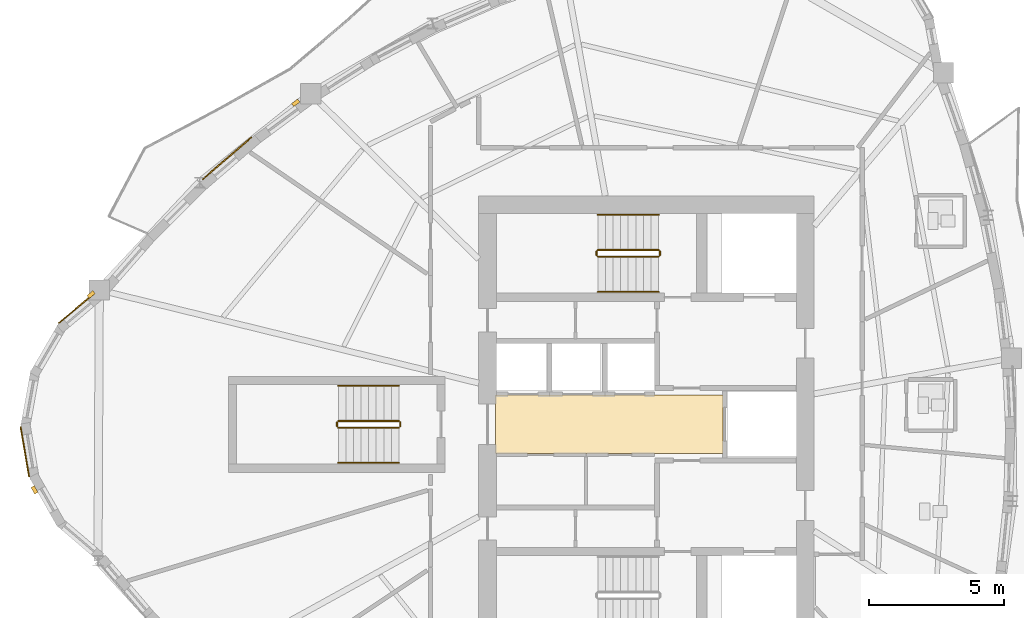
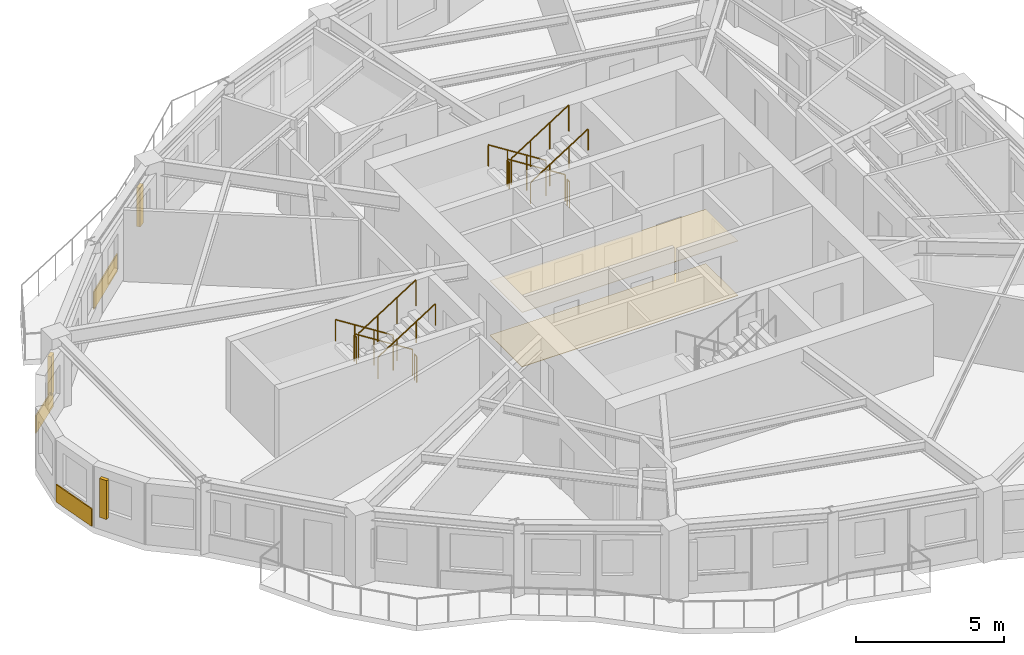
# One storey, part 10 of 12: 12 railings, 5 coverings, 3 shading devices.
"""IFC4 building model written with IfcOpenShell, lengths in metres."""

import ifcopenshell
import ifcopenshell.guid

model = None  # the IFC model being written
_history = None  # IfcOwnerHistory: only IFC2X3 demands one
_inside = {}  # id of a spatial element -> (the spatial element, [elements in it])
_under = {}  # id of a project, library or spatial element -> (it, [spatial elements below it])
_declared = {}  # id of a project -> (the project, [libraries it declares])
_typed = {}  # id of a type object -> (the type object, [elements of that type])
_made_of = {}  # id of a material, layer set ... -> (it, [elements and type objects made of it])


def new_model(schema):
    """Start an empty IFC model of exactly this schema.

    Asked for "IFC4X3", IfcOpenShell would pick the latest addendum, in which some entities
    have other attributes; the version numbers below select the first issue.
    IFC2X3 requires an IfcOwnerHistory on every rooted entity: one is made here for all.
    """
    global model, _history
    if schema == "IFC4X3":
        model = ifcopenshell.file(schema_version=(4, 3, 0, 0))
    else:
        model = ifcopenshell.file(schema=schema)
    _inside.clear()
    _under.clear()
    _declared.clear()
    _typed.clear()
    _made_of.clear()
    _history = None
    if model.schema == "IFC2X3":
        org = make("IfcOrganization", Name="unknown")
        user = make(
            "IfcPersonAndOrganization",
            ThePerson=make("IfcPerson", FamilyName="unknown"),
            TheOrganization=org,
        )
        app = make(
            "IfcApplication",
            ApplicationDeveloper=org,
            Version="unknown",
            ApplicationFullName="unknown",
            ApplicationIdentifier="unknown",
        )
        _history = make(
            "IfcOwnerHistory",
            OwningUser=user,
            OwningApplication=app,
            ChangeAction="ADDED",
            CreationDate=0,
        )
    return model


def make(cls, **values):
    """One entity of the class cls with the attributes given. An attribute that is None is left unset."""
    return model.create_entity(
        cls, **{name: value for name, value in values.items() if value is not None}
    )


def rooted(cls, **values):
    """An entity with a GlobalId (a new one), such as an element, a storey or a relation."""
    return make(cls, GlobalId=ifcopenshell.guid.new(), OwnerHistory=_history, **values)


def si_unit(unit_type, name, prefix=None):
    """IfcSIUnit, for example si_unit("LENGTHUNIT", "METRE", prefix="MILLI")."""
    return make("IfcSIUnit", UnitType=unit_type, Prefix=prefix, Name=name)


def assignment(units):
    """IfcUnitAssignment: the units of a project."""
    return None if units is None else make("IfcUnitAssignment", Units=units)


def point(xyz):
    """IfcCartesianPoint."""
    return None if xyz is None else make("IfcCartesianPoint", Coordinates=xyz)


def direction(xyz):
    """IfcDirection."""
    return None if xyz is None else make("IfcDirection", DirectionRatios=xyz)


def frame(location, z_axis=None, x_axis=None):
    """IfcAxis2Placement3D, a coordinate frame: its origin and axes. An axis left out is left unset."""
    return make(
        "IfcAxis2Placement3D",
        Location=point(location),
        Axis=direction(z_axis),
        RefDirection=direction(x_axis),
    )


def frame_2d(location, x_axis=None):
    """IfcAxis2Placement2D, a coordinate frame in the plane: its origin and x axis."""
    return make(
        "IfcAxis2Placement2D", Location=point(location), RefDirection=direction(x_axis)
    )


def origin():
    """The frame at (0, 0, 0) with its axes left unset."""
    return frame((0.0, 0.0, 0.0))


def origin_2d():
    """The frame at (0, 0) in the plane with its x axis left unset."""
    return frame_2d((0.0, 0.0))


def place(relative_to, where):
    """IfcLocalPlacement: puts the frame where relative to a parent placement (None: the world)."""
    return make(
        "IfcLocalPlacement", PlacementRelTo=relative_to, RelativePlacement=where
    )


def context(
    kind, dimensions, precision=None, world=None, true_north=None, identifier=None
):
    """IfcGeometricRepresentationContext, for example the 3D "Model" context."""
    return make(
        "IfcGeometricRepresentationContext",
        ContextIdentifier=identifier,
        ContextType=kind,
        CoordinateSpaceDimension=dimensions,
        Precision=precision,
        WorldCoordinateSystem=world,
        TrueNorth=true_north,
    )


def subcontext(parent, identifier, kind, view, scale=None):
    """IfcGeometricRepresentationSubContext, for example "Body" below "Model"."""
    return make(
        "IfcGeometricRepresentationSubContext",
        ContextIdentifier=identifier,
        ContextType=kind,
        ParentContext=parent,
        TargetScale=scale,
        TargetView=view,
    )


def project(units=None, contexts=None):
    """IfcProject with its units and contexts."""
    return rooted(
        "IfcProject",
        Name="project",
        RepresentationContexts=contexts,
        UnitsInContext=assignment(units),
    )


def spatial(cls, under=None, at=None, **own):
    """A site, building, storey or space (cls), placed at a placement, below another one or the project."""
    s = rooted(cls, ObjectPlacement=at, **own)
    if under is not None:
        _under.setdefault(under.id(), (under, []))[1].append(s)
    return s


def polyline(points):
    """IfcPolyline through the points."""
    return make("IfcPolyline", Points=[point(p) for p in points])


def profile(cls, at=None, kind="AREA", **sizes):
    """A parametric profile (cls). Its sizes go by their IFC names, for example OverallWidth=200.0."""
    return make(cls, ProfileType=kind, Position=at, **sizes)


def rectangle(**sizes):
    """IfcRectangleProfileDef."""
    return profile("IfcRectangleProfileDef", **sizes)


def circle(**sizes):
    """IfcCircleProfileDef."""
    return profile("IfcCircleProfileDef", **sizes)


def outline(outer, holes=None, kind="AREA"):
    """IfcArbitraryClosedProfileDef: a profile drawn as a closed curve; with holes, ...WithVoids."""
    if holes is None:
        return make("IfcArbitraryClosedProfileDef", ProfileType=kind, OuterCurve=outer)
    return make(
        "IfcArbitraryProfileDefWithVoids",
        ProfileType=kind,
        OuterCurve=outer,
        InnerCurves=holes,
    )


def extrude(swept, where, along, depth):
    """IfcExtrudedAreaSolid: the profile swept, set in the frame where, extruded along a direction by depth."""
    return make(
        "IfcExtrudedAreaSolid",
        SweptArea=swept,
        Position=where,
        ExtrudedDirection=direction(along),
        Depth=depth,
    )


def shape(context_of_items, identifier, shape_type, items):
    """IfcShapeRepresentation: the items that make up one representation, for example the "Body"."""
    return make(
        "IfcShapeRepresentation",
        ContextOfItems=context_of_items,
        RepresentationIdentifier=identifier,
        RepresentationType=shape_type,
        Items=items,
    )


def source(mapping_origin, context_of_items, identifier, shape_type, items):
    """IfcRepresentationMap: a shape defined once, which mapped items show again and again."""
    return make(
        "IfcRepresentationMap",
        MappingOrigin=mapping_origin,
        MappedRepresentation=shape(context_of_items, identifier, shape_type, items),
    )


def transform(
    local_origin,
    x_axis=None,
    y_axis=None,
    z_axis=None,
    scale=None,
    scale2=None,
    scale3=None,
    uniform=True,
):
    """IfcCartesianTransformationOperator3D, or its non-uniform kind. x_axis, y_axis, z_axis: its Axis1, 2, 3."""
    if uniform:
        return make(
            "IfcCartesianTransformationOperator3D",
            Axis1=direction(x_axis),
            Axis2=direction(y_axis),
            LocalOrigin=point(local_origin),
            Scale=scale,
            Axis3=direction(z_axis),
        )
    return make(
        "IfcCartesianTransformationOperator3DnonUniform",
        Axis1=direction(x_axis),
        Axis2=direction(y_axis),
        LocalOrigin=point(local_origin),
        Scale=scale,
        Axis3=direction(z_axis),
        Scale2=scale2,
        Scale3=scale3,
    )


def mapped(mapping_source, mapping_target):
    """IfcMappedItem: shows the shape of a source again, moved by a transform."""
    return make(
        "IfcMappedItem", MappingSource=mapping_source, MappingTarget=mapping_target
    )


def material(Name=None, Category=None):
    """IfcMaterial."""
    return make("IfcMaterial", Name=Name, Category=Category)


def layer(
    of_material, thickness, ventilated=None, Name=None, Category=None, Priority=None
):
    """IfcMaterialLayer: one layer of a wall or slab, of a material (None: an air gap)."""
    return make(
        "IfcMaterialLayer",
        Material=of_material,
        LayerThickness=thickness,
        IsVentilated=ventilated,
        Name=Name,
        Category=Category,
        Priority=Priority,
    )


def layer_set(layers, Name=None):
    """IfcMaterialLayerSet."""
    return make("IfcMaterialLayerSet", MaterialLayers=layers, LayerSetName=Name)


def made_of(thing, what):
    """Note that an element or type object is made of a material, layer set ...; save() writes the relation."""
    if what is not None:
        _made_of.setdefault(what.id(), (what, []))[1].append(thing)
    return thing


def type_object(cls, material=None, **own):
    """A type object (cls), such as IfcWallType, which elements share."""
    return made_of(rooted(cls, **own), material)


def element(
    cls,
    number,
    at=None,
    inside=None,
    cuts=None,
    type_object=None,
    material=None,
    context=None,
    identifier="Body",
    shape_type=None,
    held_by="IfcProductDefinitionShape",
    body=None,
    shapes=None,
    **own,
):
    """One element of the class cls, such as IfcWall. Its Tag is "e" and its number.

    at: its placement. inside: the storey or other place that contains it. cuts: it is an
    opening in that element (IfcRelVoidsElement). A single representation is given by context,
    identifier, shape_type and body (its items); several are given by shapes. held_by: the class
    of the entity that holds the representations. save() writes the other relations.
    """
    e = rooted(cls, Tag="e%d" % number, ObjectPlacement=at, **own)
    if body is not None:
        shapes = [shape(context, identifier, shape_type, body)]
    if shapes is not None:
        e.Representation = make(held_by, Representations=shapes)
    if inside is not None:
        _inside.setdefault(inside.id(), (inside, []))[1].append(e)
    if cuts is not None:
        rooted(
            "IfcRelVoidsElement", RelatingBuildingElement=cuts, RelatedOpeningElement=e
        )
    if type_object is not None:
        _typed.setdefault(type_object.id(), (type_object, []))[1].append(e)
    return made_of(e, material)


def aggregate(whole, parts):
    """IfcRelAggregates: a whole, such as a stair, and the parts it consists of."""
    return rooted("IfcRelAggregates", RelatingObject=whole, RelatedObjects=parts)


def save(model, path):
    """Write the relations noted so far, then the file.

    IfcRelAggregates (storeys below a building ...), IfcRelContainedInSpatialStructure (elements
    in a storey), IfcRelDefinesByType, IfcRelAssociatesMaterial and IfcRelDeclares: one each for
    every whole, place, type object, material and project.
    """
    for whole, parts in _under.values():
        aggregate(whole, parts)
    for where, things in _inside.values():
        rooted(
            "IfcRelContainedInSpatialStructure",
            RelatedElements=things,
            RelatingStructure=where,
        )
    for kind, things in _typed.values():
        rooted("IfcRelDefinesByType", RelatedObjects=things, RelatingType=kind)
    for what, things in _made_of.values():
        rooted("IfcRelAssociatesMaterial", RelatedObjects=things, RelatingMaterial=what)
    for by, libraries in _declared.values():
        rooted("IfcRelDeclares", RelatingContext=by, RelatedDefinitions=libraries)
    model.write(path)


model = new_model("IFC4")

# Units and contexts
model_context = context("Model", 3, precision=1e-05, world=origin(), true_north=direction((0.0, 1.0)))
body_context = subcontext(model_context, "Body", "Model", "MODEL_VIEW")
ifc_project = project(units=[si_unit("LENGTHUNIT", "METRE"), si_unit("AREAUNIT", "SQUARE_METRE"), si_unit("VOLUMEUNIT", "CUBIC_METRE"), si_unit("PLANEANGLEUNIT", "RADIAN"), si_unit("MASSUNIT", "GRAM", prefix="KILO")], contexts=[model_context])

# Site, building, storey
site_placement = place(None, origin())
site = spatial("IfcSite", under=ifc_project, at=site_placement, CompositionType="ELEMENT")
building_placement = place(site_placement, origin())
building = spatial("IfcBuilding", under=site, at=building_placement, Name="Qafzar Sky-Pleat Residences", CompositionType="ELEMENT")
storey_placement = place(building_placement, frame((0.0, 0.0, 145.800048828125)))
storey = spatial("IfcBuildingStorey", under=building, at=storey_placement, Name="L43", CompositionType="ELEMENT", Elevation=145.800048828125)

# Coverings
ifc_material_1 = material(Name="Perforated acoustic gypsum board ceiling")
ifc_layer_1 = layer(ifc_material_1, 0.02001953125)
ifc_layer_set_1 = layer_set([ifc_layer_1], Name="Perforated acoustic gypsum board ceiling")
covering_type_1 = type_object("IfcCoveringType", Name="COV-CEIL-ACOUSTIC", PredefinedType="CEILING", material=ifc_layer_set_1)
covering_1_placement = place(storey_placement, frame((0.0, 0.0, 2.239990234375)))
element("IfcCovering", 1, at=covering_1_placement, inside=storey, type_object=covering_type_1, Name="L43 Passenger Lift Lobby Acoustic Ceiling", PredefinedType="CEILING", context=body_context, shape_type="SweptSolid", body=[
    extrude(outline(polyline([(33.179931640625, 24.919921875), (24.77001953125, 24.919921875), (24.77001953125, 27.080078125), (33.179931640625, 27.080078125), (33.179931640625, 24.919921875)])), origin(), (0.0, 0.0, 1.0), 0.02001953125),
])
ifc_material_2 = material(Name="Honed porcelain and Riyadh stone tile flooring", Category="masonry")
ifc_layer_2 = layer(ifc_material_2, 0.02001953125)
ifc_layer_set_2 = layer_set([ifc_layer_2], Name="Honed porcelain and Riyadh stone tile flooring")
covering_type_2 = type_object("IfcCoveringType", Name="COV-FLR-PORCELAIN", PredefinedType="FLOORING", material=ifc_layer_set_2)
covering_2_placement = place(storey_placement, origin())
element("IfcCovering", 2, at=covering_2_placement, inside=storey, type_object=covering_type_2, Name="L43 Passenger Lift Lobby Honed Stone Flooring", PredefinedType="FLOORING", context=body_context, shape_type="SweptSolid", body=[
    extrude(outline(polyline([(33.179931640625, 24.919921875), (24.77001953125, 24.919921875), (24.77001953125, 27.080078125), (33.179931640625, 27.080078125), (33.179931640625, 24.919921875)])), origin(), (0.0, 0.0, 1.0), 0.02001953125),
])

# Shading devices
ifc_material_3 = material(Name="Honed Riyadh limestone solar fin", Category="masonry")
ifc_layer_3 = layer(ifc_material_3, 0.139892578125)
ifc_layer_set_3 = layer_set([ifc_layer_3], Name="Honed Riyadh limestone solar fin")
shading_device_type = type_object("IfcShadingDeviceType", Name="SHD-FIN-STONE", PredefinedType="SHUTTER", material=ifc_layer_set_3)
shared_shape_1 = source(origin(), body_context, "Body", "SweptSolid", [
    extrude(rectangle(XDim=0.139892578125, YDim=0.280029296875, at=origin_2d()), origin(), (0.0, 0.0, 1.0), 1.60009765625),
])
for number, where, z_axis, x_axis, name in (
    (3, (9.8173828125, 30.799560546875, 0.599853515625), (0.0, 0.0, 1.0), (-0.642178681306, 0.766554982552, 0.0), "L43 Limestone Solar Fin 1"),
    (4, (7.720458984375, 23.57470703125, 0.599853515625), (0.0, 0.0, 1.0), (-0.86961473554, -0.493730910245, 0.0), "L43 Limestone Solar Fin 5"),
    (5, (17.3837890625, 37.890380859375, 0.599853515625), (0.0, 0.0, 1.0), (-0.594883001651, 0.803812300445, 0.0), "L43 Limestone Solar Fin 45"),
):
    element("IfcShadingDevice", number, at=place(storey_placement, frame(where, z_axis=z_axis, x_axis=x_axis)), inside=storey, type_object=shading_device_type, Name=name, PredefinedType="SHUTTER", context=body_context, shape_type="MappedRepresentation", body=[
        mapped(shared_shape_1, transform((0.0, 0.0, 0.0), x_axis=(1.0, 0.0, 0.0), y_axis=(0.0, 1.0, 0.0), z_axis=(0.0, 0.0, 1.0), scale=1.0)),
    ])

# Coverings
ifc_material_4 = material(Name="Honed Riyadh Tuwaiq limestone cladding", Category="masonry")
ifc_layer_4 = layer(ifc_material_4, 0.044921875)
ifc_layer_set_4 = layer_set([ifc_layer_4], Name="Honed Riyadh Tuwaiq limestone cladding")
covering_type_3 = type_object("IfcCoveringType", Name="COV-CLAD-STONE", PredefinedType="CLADDING", material=ifc_layer_set_4)
shared_shape_2 = source(origin(), body_context, "Body", "SweptSolid", [
    extrude(rectangle(XDim=1.699462890625, YDim=0.044921875, at=origin_2d()), origin(), (0.0, 0.0, 1.0), 0.719970703125),
])
covering_3_placement = place(storey_placement, frame((9.26220703125, 30.278564453125, 0.02001953125), z_axis=(0.0, 0.0, 1.0), x_axis=(-0.766590937902, -0.642135759732, 0.0)))
element("IfcCovering", 6, at=covering_3_placement, inside=storey, type_object=covering_type_3, Name="L43 Riyadh Limestone Spandrel Cladding 1", PredefinedType="CLADDING", context=body_context, shape_type="MappedRepresentation", body=[
    mapped(shared_shape_2, transform((0.0, 0.0, 0.0), x_axis=(1.0, 0.0, 0.0), y_axis=(0.0, 1.0, 0.0), z_axis=(0.0, 0.0, 1.0), scale=1.0)),
])
shared_shape_3 = source(origin(), body_context, "Body", "SweptSolid", [
    extrude(rectangle(XDim=1.873046875, YDim=0.044921875, at=origin_2d()), origin(), (0.0, 0.0, 1.0), 0.719970703125),
])
covering_4_placement = place(storey_placement, frame((7.36572265625, 24.98046875, 0.02001953125), z_axis=(0.0, 0.0, 1.0), x_axis=(0.168083505524, -0.985772760412, 0.0)))
element("IfcCovering", 7, at=covering_4_placement, inside=storey, type_object=covering_type_3, Name="L43 Riyadh Limestone Spandrel Cladding 4", PredefinedType="CLADDING", context=body_context, shape_type="MappedRepresentation", body=[
    mapped(shared_shape_3, transform((0.0, 0.0, 0.0), x_axis=(1.0, 0.0, 0.0), y_axis=(0.0, 1.0, 0.0), z_axis=(0.0, 0.0, 1.0), scale=1.0)),
])
shared_shape_4 = source(origin(), body_context, "Body", "SweptSolid", [
    extrude(rectangle(XDim=2.3984375, YDim=0.044921875, at=origin_2d()), origin(), (0.0, 0.0, 1.0), 0.719970703125),
])
covering_5_placement = place(storey_placement, frame((14.84228515625, 35.836669921875, 0.02001953125), z_axis=(0.0, 0.0, 1.0), x_axis=(-0.757495062246, -0.652840892311, 0.0)))
element("IfcCovering", 8, at=covering_5_placement, inside=storey, type_object=covering_type_3, Name="L43 Riyadh Limestone Spandrel Cladding 46", PredefinedType="CLADDING", context=body_context, shape_type="MappedRepresentation", body=[
    mapped(shared_shape_4, transform((0.0, 0.0, 0.0), x_axis=(1.0, 0.0, 0.0), y_axis=(0.0, 1.0, 0.0), z_axis=(0.0, 0.0, 1.0), scale=1.0)),
])

# Railings
ifc_material_5 = material(Name="Painted Steel S355 stair guardrail", Category="steel")
railing_type_1 = type_object("IfcRailingType", Name="RAIL-STAIR-GUARD", PredefinedType="GUARDRAIL", material=ifc_material_5)
shared_shape_5 = source(origin(), body_context, "Body", "SweptSolid", [
    extrude(circle(Radius=0.02392578125, at=origin_2d()), frame((0.0, 0.0, 1.076171875), z_axis=(0.0, -1.0, 0.0), x_axis=(1.0, 0.0, 0.0)), (0.0, 0.0, 1.0), 0.14990234375),
    extrude(circle(Radius=0.02099609375, at=origin_2d()), origin(), (0.0, 0.0, 1.0), 1.052001953125),
    extrude(circle(Radius=0.02099609375, at=origin_2d()), frame((0.0, -0.14990234375, 0.0)), (0.0, 0.0, 1.0), 1.052001953125),
])
for number, where, name in (
    (9, (28.510009765625, 32.39990234375, 1.599853515625), "L43 ST2 stair guard 2"),
    (10, (30.85009765625, 32.39990234375, 0.0), "L43 ST2 stair guard 4"),
    (11, (18.909912109375, 26.074951171875, 1.599853515625), "L43 ST3 stair guard 2"),
    (12, (21.25, 26.074951171875, 0.0), "L43 ST3 stair guard 4"),
):
    element("IfcRailing", number, at=place(storey_placement, frame(where)), inside=storey, type_object=railing_type_1, Name=name, PredefinedType="GUARDRAIL", context=body_context, shape_type="MappedRepresentation", body=[
        mapped(shared_shape_5, transform((0.0, 0.0, 0.0), x_axis=(1.0, 0.0, 0.0), y_axis=(0.0, 1.0, 0.0), z_axis=(0.0, 0.0, 1.0), scale=1.0)),
    ])
shared_shape_6 = source(origin(), body_context, "Body", "SweptSolid", [
    extrude(circle(Radius=0.02392578125, at=origin_2d()), frame((0.0, 0.0, 1.076171875), z_axis=(-0.8442293374, 0.0, 0.53598211339), x_axis=(0.0, -1.0, 0.0)), (0.0, 0.0, 1.0), 2.6533203125),
    extrude(circle(Radius=0.02099609375, at=origin_2d()), origin(), (0.0, 0.0, 1.0), 1.052001953125),
    extrude(circle(Radius=0.02099609375, at=origin_2d()), frame((-0.74658203125, 0.0, 0.47412109375)), (0.0, 0.0, 1.0), 1.052001953125),
    extrude(circle(Radius=0.02099609375, at=origin_2d()), frame((-1.493408203125, 0.0, 0.947998046875)), (0.0, 0.0, 1.0), 1.052001953125),
    extrude(circle(Radius=0.02099609375, at=origin_2d()), frame((-2.239990234375, 0.0, 1.422119140625)), (0.0, 0.0, 1.0), 1.052001953125),
])
for number, where, name in (
    (13, (30.800048828125, 32.449951171875, 0.177734375), "L43 ST2 stair guard 1"),
    (14, (21.199951171875, 26.125, 0.177734375), "L43 ST3 stair guard 1"),
):
    element("IfcRailing", number, at=place(storey_placement, frame(where)), inside=storey, type_object=railing_type_1, Name=name, PredefinedType="GUARDRAIL", context=body_context, shape_type="MappedRepresentation", body=[
        mapped(shared_shape_6, transform((0.0, 0.0, 0.0), x_axis=(1.0, 0.0, 0.0), y_axis=(0.0, 1.0, 0.0), z_axis=(0.0, 0.0, 1.0), scale=1.0)),
    ])
shared_shape_7 = source(origin(), body_context, "Body", "SweptSolid", [
    extrude(circle(Radius=0.02392578125, at=origin_2d()), frame((0.0, 0.0, 1.076171875), z_axis=(0.8442293374, 0.0, 0.53598211339), x_axis=(0.0, 1.0, 0.0)), (0.0, 0.0, 1.0), 2.6533203125),
    extrude(circle(Radius=0.02099609375, at=origin_2d()), origin(), (0.0, 0.0, 1.0), 1.052001953125),
    extrude(circle(Radius=0.02099609375, at=origin_2d()), frame((0.74658203125, 0.0, 0.47412109375)), (0.0, 0.0, 1.0), 1.052001953125),
    extrude(circle(Radius=0.02099609375, at=origin_2d()), frame((1.493408203125, 0.0, 0.947998046875)), (0.0, 0.0, 1.0), 1.052001953125),
    extrude(circle(Radius=0.02099609375, at=origin_2d()), frame((2.239990234375, 0.0, 1.422119140625)), (0.0, 0.0, 1.0), 1.052001953125),
])
for number, where, name in (
    (15, (28.56005859375, 32.199951171875, 1.77783203125), "L43 ST2 stair guard 3"),
    (16, (18.9599609375, 25.875, 1.77783203125), "L43 ST3 stair guard 3"),
):
    element("IfcRailing", number, at=place(storey_placement, frame(where)), inside=storey, type_object=railing_type_1, Name=name, PredefinedType="GUARDRAIL", context=body_context, shape_type="MappedRepresentation", body=[
        mapped(shared_shape_7, transform((0.0, 0.0, 0.0), x_axis=(1.0, 0.0, 0.0), y_axis=(0.0, 1.0, 0.0), z_axis=(0.0, 0.0, 1.0), scale=1.0)),
    ])
ifc_material_6 = material(Name="Brushed stainless steel handrail", Category="steel")
railing_type_2 = type_object("IfcRailingType", Name="RAIL-STAIR-HAND", PredefinedType="HANDRAIL", material=ifc_material_6)
shared_shape_8 = source(origin(), body_context, "Body", "SweptSolid", [
    extrude(circle(Radius=0.02392578125, at=origin_2d()), frame((0.0, 0.0, 0.8759765625), z_axis=(-0.8442293374, 0.0, 0.53598211339), x_axis=(0.0, -1.0, 0.0)), (0.0, 0.0, 1.0), 2.6533203125),
    extrude(circle(Radius=0.02099609375, at=origin_2d()), origin(), (0.0, 0.0, 1.0), 0.851806640625),
    extrude(circle(Radius=0.02099609375, at=origin_2d()), frame((-0.74658203125, 0.0, 0.47412109375)), (0.0, 0.0, 1.0), 0.851806640625),
    extrude(circle(Radius=0.02099609375, at=origin_2d()), frame((-1.493408203125, 0.0, 0.947998046875)), (0.0, 0.0, 1.0), 0.851806640625),
    extrude(circle(Radius=0.02099609375, at=origin_2d()), frame((-2.239990234375, 0.0, 1.422119140625)), (0.0, 0.0, 1.0), 0.851806640625),
])
for number, where, name in (
    (17, (30.800048828125, 33.75, 0.177734375), "L43 ST2 stair handrail 1"),
    (18, (21.199951171875, 27.425048828125, 0.177734375), "L43 ST3 stair handrail 1"),
):
    element("IfcRailing", number, at=place(storey_placement, frame(where)), inside=storey, type_object=railing_type_2, Name=name, PredefinedType="HANDRAIL", context=body_context, shape_type="MappedRepresentation", body=[
        mapped(shared_shape_8, transform((0.0, 0.0, 0.0), x_axis=(1.0, 0.0, 0.0), y_axis=(0.0, 1.0, 0.0), z_axis=(0.0, 0.0, 1.0), scale=1.0)),
    ])
shared_shape_9 = source(origin(), body_context, "Body", "SweptSolid", [
    extrude(circle(Radius=0.02392578125, at=origin_2d()), frame((0.0, 0.0, 0.8759765625), z_axis=(0.8442293374, 0.0, 0.53598211339), x_axis=(0.0, 1.0, 0.0)), (0.0, 0.0, 1.0), 2.6533203125),
    extrude(circle(Radius=0.02099609375, at=origin_2d()), origin(), (0.0, 0.0, 1.0), 0.851806640625),
    extrude(circle(Radius=0.02099609375, at=origin_2d()), frame((0.74658203125, 0.0, 0.47412109375)), (0.0, 0.0, 1.0), 0.851806640625),
    extrude(circle(Radius=0.02099609375, at=origin_2d()), frame((1.493408203125, 0.0, 0.947998046875)), (0.0, 0.0, 1.0), 0.851806640625),
    extrude(circle(Radius=0.02099609375, at=origin_2d()), frame((2.239990234375, 0.0, 1.422119140625)), (0.0, 0.0, 1.0), 0.851806640625),
])
for number, where, name in (
    (19, (28.56005859375, 30.89990234375, 1.77783203125), "L43 ST2 stair handrail 2"),
    (20, (18.9599609375, 24.574951171875, 1.77783203125), "L43 ST3 stair handrail 2"),
):
    element("IfcRailing", number, at=place(storey_placement, frame(where)), inside=storey, type_object=railing_type_2, Name=name, PredefinedType="HANDRAIL", context=body_context, shape_type="MappedRepresentation", body=[
        mapped(shared_shape_9, transform((0.0, 0.0, 0.0), x_axis=(1.0, 0.0, 0.0), y_axis=(0.0, 1.0, 0.0), z_axis=(0.0, 0.0, 1.0), scale=1.0)),
    ])

save(model, "model.ifc")
